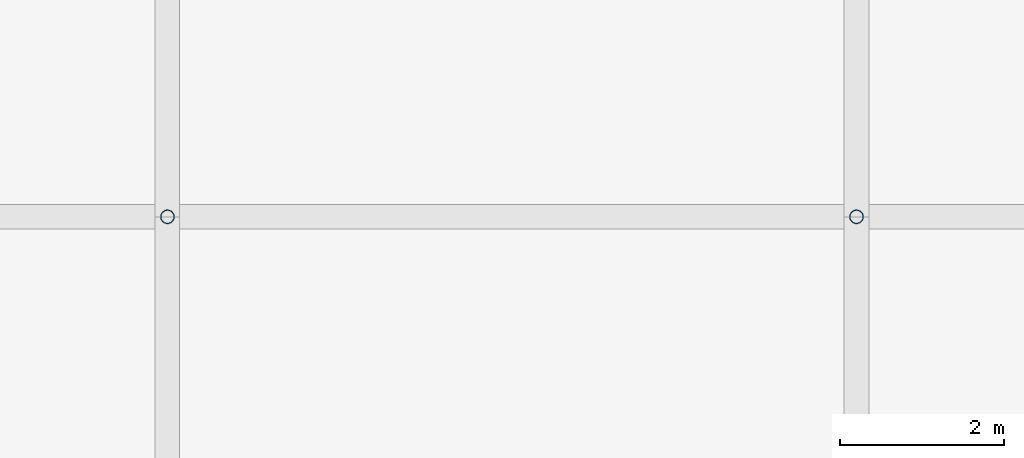
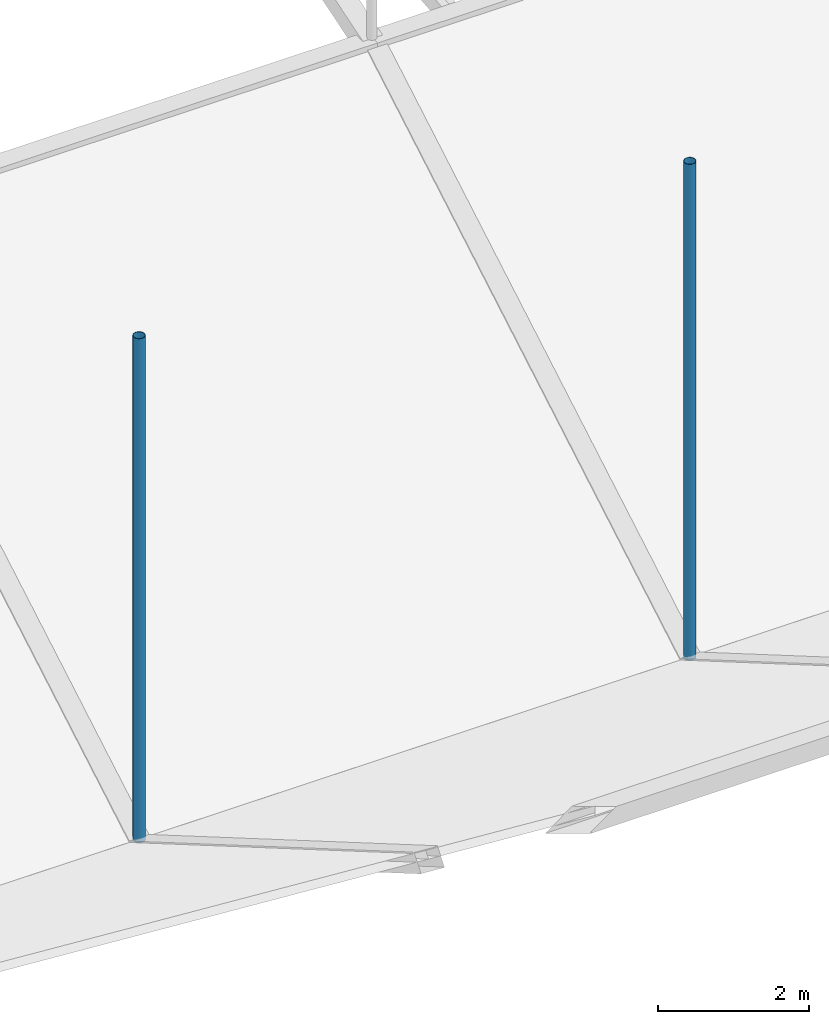
# One storey, part 80 of 111: 2 discrete accessories.
"""IFC4 building model written with IfcOpenShell, lengths in metres."""

import ifcopenshell
import ifcopenshell.guid

model = None  # the IFC model being written
_history = None  # IfcOwnerHistory: only IFC2X3 demands one
_inside = {}  # id of a spatial element -> (the spatial element, [elements in it])
_under = {}  # id of a project, library or spatial element -> (it, [spatial elements below it])
_declared = {}  # id of a project -> (the project, [libraries it declares])
_typed = {}  # id of a type object -> (the type object, [elements of that type])
_made_of = {}  # id of a material, layer set ... -> (it, [elements and type objects made of it])


def new_model(schema):
    """Start an empty IFC model of exactly this schema.

    Asked for "IFC4X3", IfcOpenShell would pick the latest addendum, in which some entities
    have other attributes; the version numbers below select the first issue.
    IFC2X3 requires an IfcOwnerHistory on every rooted entity: one is made here for all.
    """
    global model, _history
    if schema == "IFC4X3":
        model = ifcopenshell.file(schema_version=(4, 3, 0, 0))
    else:
        model = ifcopenshell.file(schema=schema)
    _inside.clear()
    _under.clear()
    _declared.clear()
    _typed.clear()
    _made_of.clear()
    _history = None
    if model.schema == "IFC2X3":
        org = make("IfcOrganization", Name="unknown")
        user = make(
            "IfcPersonAndOrganization",
            ThePerson=make("IfcPerson", FamilyName="unknown"),
            TheOrganization=org,
        )
        app = make(
            "IfcApplication",
            ApplicationDeveloper=org,
            Version="unknown",
            ApplicationFullName="unknown",
            ApplicationIdentifier="unknown",
        )
        _history = make(
            "IfcOwnerHistory",
            OwningUser=user,
            OwningApplication=app,
            ChangeAction="ADDED",
            CreationDate=0,
        )
    return model


def make(cls, **values):
    """One entity of the class cls with the attributes given. An attribute that is None is left unset."""
    return model.create_entity(
        cls, **{name: value for name, value in values.items() if value is not None}
    )


def rooted(cls, **values):
    """An entity with a GlobalId (a new one), such as an element, a storey or a relation."""
    return make(cls, GlobalId=ifcopenshell.guid.new(), OwnerHistory=_history, **values)


def si_unit(unit_type, name, prefix=None):
    """IfcSIUnit, for example si_unit("LENGTHUNIT", "METRE", prefix="MILLI")."""
    return make("IfcSIUnit", UnitType=unit_type, Prefix=prefix, Name=name)


def assignment(units):
    """IfcUnitAssignment: the units of a project."""
    return None if units is None else make("IfcUnitAssignment", Units=units)


def point(xyz):
    """IfcCartesianPoint."""
    return None if xyz is None else make("IfcCartesianPoint", Coordinates=xyz)


def direction(xyz):
    """IfcDirection."""
    return None if xyz is None else make("IfcDirection", DirectionRatios=xyz)


def frame(location, z_axis=None, x_axis=None):
    """IfcAxis2Placement3D, a coordinate frame: its origin and axes. An axis left out is left unset."""
    return make(
        "IfcAxis2Placement3D",
        Location=point(location),
        Axis=direction(z_axis),
        RefDirection=direction(x_axis),
    )


def frame_2d(location, x_axis=None):
    """IfcAxis2Placement2D, a coordinate frame in the plane: its origin and x axis."""
    return make(
        "IfcAxis2Placement2D", Location=point(location), RefDirection=direction(x_axis)
    )


def origin():
    """The frame at (0, 0, 0) with its axes left unset."""
    return frame((0.0, 0.0, 0.0))


def origin_2d():
    """The frame at (0, 0) in the plane with its x axis left unset."""
    return frame_2d((0.0, 0.0))


def place(relative_to, where):
    """IfcLocalPlacement: puts the frame where relative to a parent placement (None: the world)."""
    return make(
        "IfcLocalPlacement", PlacementRelTo=relative_to, RelativePlacement=where
    )


def context(
    kind, dimensions, precision=None, world=None, true_north=None, identifier=None
):
    """IfcGeometricRepresentationContext, for example the 3D "Model" context."""
    return make(
        "IfcGeometricRepresentationContext",
        ContextIdentifier=identifier,
        ContextType=kind,
        CoordinateSpaceDimension=dimensions,
        Precision=precision,
        WorldCoordinateSystem=world,
        TrueNorth=true_north,
    )


def subcontext(parent, identifier, kind, view, scale=None):
    """IfcGeometricRepresentationSubContext, for example "Body" below "Model"."""
    return make(
        "IfcGeometricRepresentationSubContext",
        ContextIdentifier=identifier,
        ContextType=kind,
        ParentContext=parent,
        TargetScale=scale,
        TargetView=view,
    )


def project(units=None, contexts=None):
    """IfcProject with its units and contexts."""
    return rooted(
        "IfcProject",
        Name="project",
        RepresentationContexts=contexts,
        UnitsInContext=assignment(units),
    )


def spatial(cls, under=None, at=None, **own):
    """A site, building, storey or space (cls), placed at a placement, below another one or the project."""
    s = rooted(cls, ObjectPlacement=at, **own)
    if under is not None:
        _under.setdefault(under.id(), (under, []))[1].append(s)
    return s


def profile(cls, at=None, kind="AREA", **sizes):
    """A parametric profile (cls). Its sizes go by their IFC names, for example OverallWidth=200.0."""
    return make(cls, ProfileType=kind, Position=at, **sizes)


def hollow_circle(**sizes):
    """IfcCircleHollowProfileDef."""
    return profile("IfcCircleHollowProfileDef", **sizes)


def extrude(swept, where, along, depth):
    """IfcExtrudedAreaSolid: the profile swept, set in the frame where, extruded along a direction by depth."""
    return make(
        "IfcExtrudedAreaSolid",
        SweptArea=swept,
        Position=where,
        ExtrudedDirection=direction(along),
        Depth=depth,
    )


def shape(context_of_items, identifier, shape_type, items):
    """IfcShapeRepresentation: the items that make up one representation, for example the "Body"."""
    return make(
        "IfcShapeRepresentation",
        ContextOfItems=context_of_items,
        RepresentationIdentifier=identifier,
        RepresentationType=shape_type,
        Items=items,
    )


def material(Name=None, Category=None):
    """IfcMaterial."""
    return make("IfcMaterial", Name=Name, Category=Category)


def material_profile(
    of_material, cross_section, Name=None, Category=None, Priority=None
):
    """IfcMaterialProfile: a cross section and its material."""
    return make(
        "IfcMaterialProfile",
        Name=Name,
        Material=of_material,
        Profile=cross_section,
        Priority=Priority,
        Category=Category,
    )


def profile_set(profiles, Name=None, composite=None):
    """IfcMaterialProfileSet."""
    return make(
        "IfcMaterialProfileSet",
        Name=Name,
        MaterialProfiles=profiles,
        CompositeProfile=composite,
    )


def made_of(thing, what):
    """Note that an element or type object is made of a material, layer set ...; save() writes the relation."""
    if what is not None:
        _made_of.setdefault(what.id(), (what, []))[1].append(thing)
    return thing


def type_object(cls, material=None, **own):
    """A type object (cls), such as IfcWallType, which elements share."""
    return made_of(rooted(cls, **own), material)


def element(
    cls,
    number,
    at=None,
    inside=None,
    cuts=None,
    type_object=None,
    material=None,
    context=None,
    identifier="Body",
    shape_type=None,
    held_by="IfcProductDefinitionShape",
    body=None,
    shapes=None,
    **own,
):
    """One element of the class cls, such as IfcWall. Its Tag is "e" and its number.

    at: its placement. inside: the storey or other place that contains it. cuts: it is an
    opening in that element (IfcRelVoidsElement). A single representation is given by context,
    identifier, shape_type and body (its items); several are given by shapes. held_by: the class
    of the entity that holds the representations. save() writes the other relations.
    """
    e = rooted(cls, Tag="e%d" % number, ObjectPlacement=at, **own)
    if body is not None:
        shapes = [shape(context, identifier, shape_type, body)]
    if shapes is not None:
        e.Representation = make(held_by, Representations=shapes)
    if inside is not None:
        _inside.setdefault(inside.id(), (inside, []))[1].append(e)
    if cuts is not None:
        rooted(
            "IfcRelVoidsElement", RelatingBuildingElement=cuts, RelatedOpeningElement=e
        )
    if type_object is not None:
        _typed.setdefault(type_object.id(), (type_object, []))[1].append(e)
    return made_of(e, material)


def aggregate(whole, parts):
    """IfcRelAggregates: a whole, such as a stair, and the parts it consists of."""
    return rooted("IfcRelAggregates", RelatingObject=whole, RelatedObjects=parts)


def save(model, path):
    """Write the relations noted so far, then the file.

    IfcRelAggregates (storeys below a building ...), IfcRelContainedInSpatialStructure (elements
    in a storey), IfcRelDefinesByType, IfcRelAssociatesMaterial and IfcRelDeclares: one each for
    every whole, place, type object, material and project.
    """
    for whole, parts in _under.values():
        aggregate(whole, parts)
    for where, things in _inside.values():
        rooted(
            "IfcRelContainedInSpatialStructure",
            RelatedElements=things,
            RelatingStructure=where,
        )
    for kind, things in _typed.values():
        rooted("IfcRelDefinesByType", RelatedObjects=things, RelatingType=kind)
    for what, things in _made_of.values():
        rooted("IfcRelAssociatesMaterial", RelatedObjects=things, RelatingMaterial=what)
    for by, libraries in _declared.values():
        rooted("IfcRelDeclares", RelatingContext=by, RelatedDefinitions=libraries)
    model.write(path)


model = new_model("IFC4")

# Units and contexts
model_context = context("Model", 3, precision=1e-05, world=origin(), true_north=direction((0.0, 1.0)))
body_context = subcontext(model_context, "Body", "Model", "MODEL_VIEW")
ifc_project = project(units=[si_unit("LENGTHUNIT", "METRE"), si_unit("AREAUNIT", "SQUARE_METRE"), si_unit("VOLUMEUNIT", "CUBIC_METRE"), si_unit("PLANEANGLEUNIT", "RADIAN"), si_unit("MASSUNIT", "GRAM", prefix="KILO")], contexts=[model_context])

# Site, building, storey
site_placement = place(None, origin())
site = spatial("IfcSite", under=ifc_project, at=site_placement, CompositionType="ELEMENT")
building_placement = place(site_placement, origin())
building = spatial("IfcBuilding", under=site, at=building_placement, Name="Rain Tree Exposition and Congress Centre", CompositionType="ELEMENT")
storey_placement = place(building_placement, frame((0.0, 0.0, 19.5)))
storey = spatial("IfcBuildingStorey", under=building, at=storey_placement, Name="RF", CompositionType="ELEMENT", Elevation=19.5)

# Discrete accessories
ifc_material = material(Name="Steel S355J2H", Category="steel")
ifc_material_profile = material_profile(ifc_material, hollow_circle(Radius=0.084228515625, WallThickness=0.006103515625, at=origin_2d()), Name="CHS 168x6")
ifc_profile_set = profile_set([ifc_material_profile], Name="Steel S355J2H")
discrete_accessory_type = type_object("IfcDiscreteAccessoryType", Name="Roof skin post CHS 168x6", PredefinedType="BRACKET", material=ifc_profile_set)
discrete_accessory_1_placement = place(storey_placement, frame((193.199951171875, 151.199951171875, 0.5), z_axis=(0.0, 0.0, 1.0), x_axis=(1.0, 0.0, 0.0)))
element("IfcDiscreteAccessory", 1, at=discrete_accessory_1_placement, inside=storey, type_object=discrete_accessory_type, Name="Roof skin post B85", PredefinedType="BRACKET", context=body_context, shape_type="SweptSolid", body=[
    extrude(hollow_circle(Radius=0.084228515625, WallThickness=0.006103515625, at=origin_2d()), origin(), (0.0, 0.0, 1.0), 8.127197265625),
])
discrete_accessory_2_placement = place(storey_placement, frame((201.60009765625, 151.199951171875, 0.5), z_axis=(0.0, 0.0, 1.0), x_axis=(1.0, 0.0, 0.0)))
element("IfcDiscreteAccessory", 2, at=discrete_accessory_2_placement, inside=storey, type_object=discrete_accessory_type, Name="Roof skin post B86", PredefinedType="BRACKET", context=body_context, shape_type="SweptSolid", body=[
    extrude(hollow_circle(Radius=0.084228515625, WallThickness=0.006103515625, at=origin_2d()), origin(), (0.0, 0.0, 1.0), 7.99755859375),
])

save(model, "model.ifc")
